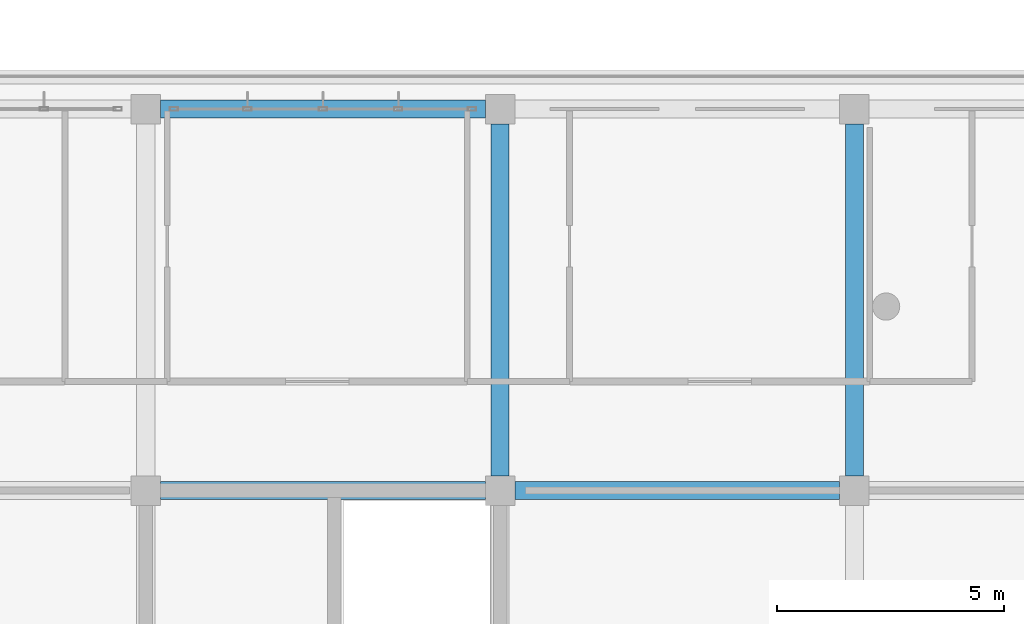
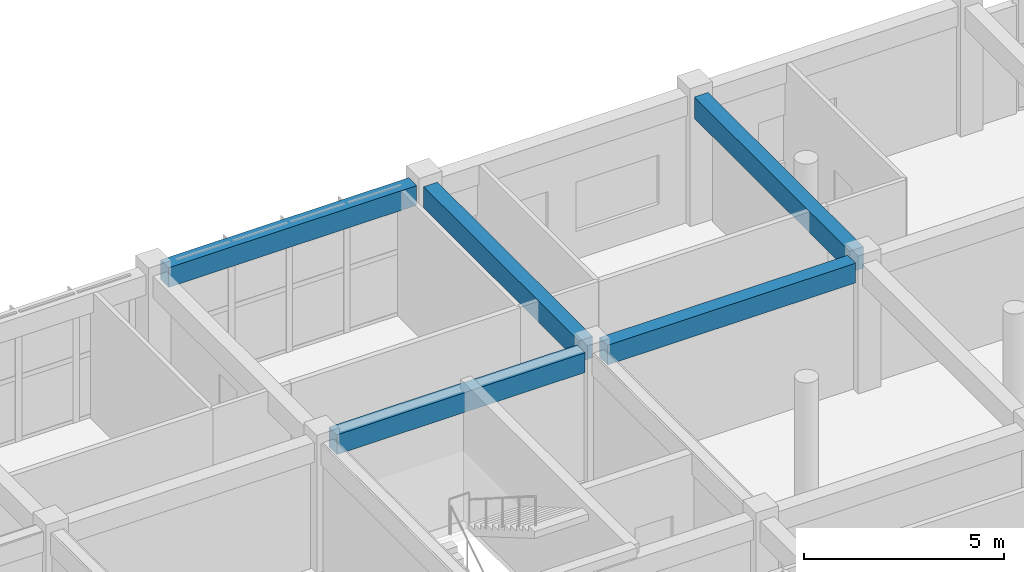
# One storey, part 26 of 57: 5 beams.
"""IFC4 building model written with IfcOpenShell, lengths in metres."""

from ifc_helpers import new_model, si_unit, direction, frame, origin, origin_2d, place, context, subcontext, project, spatial, rectangle, extrude, material, material_profile, profile_set, type_object, element, save


model = new_model("IFC4")

# Units and contexts
model_context = context("Model", 3, precision=1e-05, world=origin(), true_north=direction((0.0, 1.0)))
body_context = subcontext(model_context, "Body", "Model", "MODEL_VIEW")
ifc_project = project(units=[si_unit("LENGTHUNIT", "METRE"), si_unit("AREAUNIT", "SQUARE_METRE"), si_unit("VOLUMEUNIT", "CUBIC_METRE"), si_unit("PLANEANGLEUNIT", "RADIAN"), si_unit("MASSUNIT", "GRAM", prefix="KILO")], contexts=[model_context])

# Site, building, storey
site_placement = place(None, origin())
site = spatial("IfcSite", under=ifc_project, at=site_placement, CompositionType="ELEMENT")
building_placement = place(site_placement, origin())
building = spatial("IfcBuilding", under=site, at=building_placement, Name="Zizhar Promenade General Hospital", CompositionType="ELEMENT")
storey_placement = place(building_placement, frame((0.0, 0.0, 22.199951171875)))
storey = spatial("IfcBuildingStorey", under=building, at=storey_placement, Name="L05", CompositionType="ELEMENT", Elevation=22.199951171875)

# Beams
ifc_material_1 = material(Name="Concrete C35/45", Category="concrete")
ifc_material_profile_1 = material_profile(ifc_material_1, rectangle(XDim=0.39990234375, YDim=0.60009765625, at=origin_2d()))
ifc_profile_set_1 = profile_set([ifc_material_profile_1], Name="Concrete C35/45")
beam_type_1 = type_object("IfcBeamType", Name="BM-RC-400x600", PredefinedType="JOIST", material=ifc_profile_set_1)
for number, where, z_axis, x_axis, name in (
    (1, (93.925048828125, 16.800048828125, 3.610107421875), (1.0, 0.0, 0.0), (0.0, 1.0, 0.0), "Grid Beam X L05 (12-2)"),
    (2, (93.925048828125, 25.199951171875, 3.610107421875), (1.0, 0.0, 0.0), (0.0, 1.0, 0.0), "Grid Beam X L05 (12-3)"),
    (3, (101.72509765625, 16.800048828125, 3.610107421875), (1.0, 0.0, 0.0), (0.0, 1.0, 0.0), "Grid Beam X L05 (13-2)"),
):
    element("IfcBeam", number, at=place(storey_placement, frame(where, z_axis=z_axis, x_axis=x_axis)), inside=storey, type_object=beam_type_1, Name=name, PredefinedType="JOIST", context=body_context, shape_type="SweptSolid", body=[
        extrude(rectangle(XDim=0.39990234375, YDim=0.60009765625, at=origin_2d()), origin(), (0.0, 0.0, 1.0), 7.14990234375),
    ])
ifc_material_2 = material(Name="Concrete C35/45", Category="concrete")
ifc_material_profile_2 = material_profile(ifc_material_2, rectangle(XDim=0.39990234375, YDim=0.64990234375, at=origin_2d()))
ifc_profile_set_2 = profile_set([ifc_material_profile_2], Name="Concrete C35/45")
beam_type_2 = type_object("IfcBeamType", Name="BM-RC-400x650", PredefinedType="BEAM", material=ifc_profile_set_2)
for number, where, z_axis, x_axis, name in (
    (4, (101.39990234375, 17.125, 3.5849609375), (0.0, 1.0, 0.0), (-1.0, 0.0, 0.0), "Grid Beam Y L05 (13-2)"),
    (5, (109.199951171875, 17.125, 3.5849609375), (0.0, 1.0, 0.0), (-1.0, 0.0, 0.0), "Grid Beam Y L05 (14-2)"),
):
    element("IfcBeam", number, at=place(storey_placement, frame(where, z_axis=z_axis, x_axis=x_axis)), inside=storey, type_object=beam_type_2, Name=name, PredefinedType="BEAM", context=body_context, shape_type="SweptSolid", body=[
        extrude(rectangle(XDim=0.39990234375, YDim=0.64990234375, at=origin_2d()), origin(), (0.0, 0.0, 1.0), 7.75),
    ])

save(model, "model.ifc")
